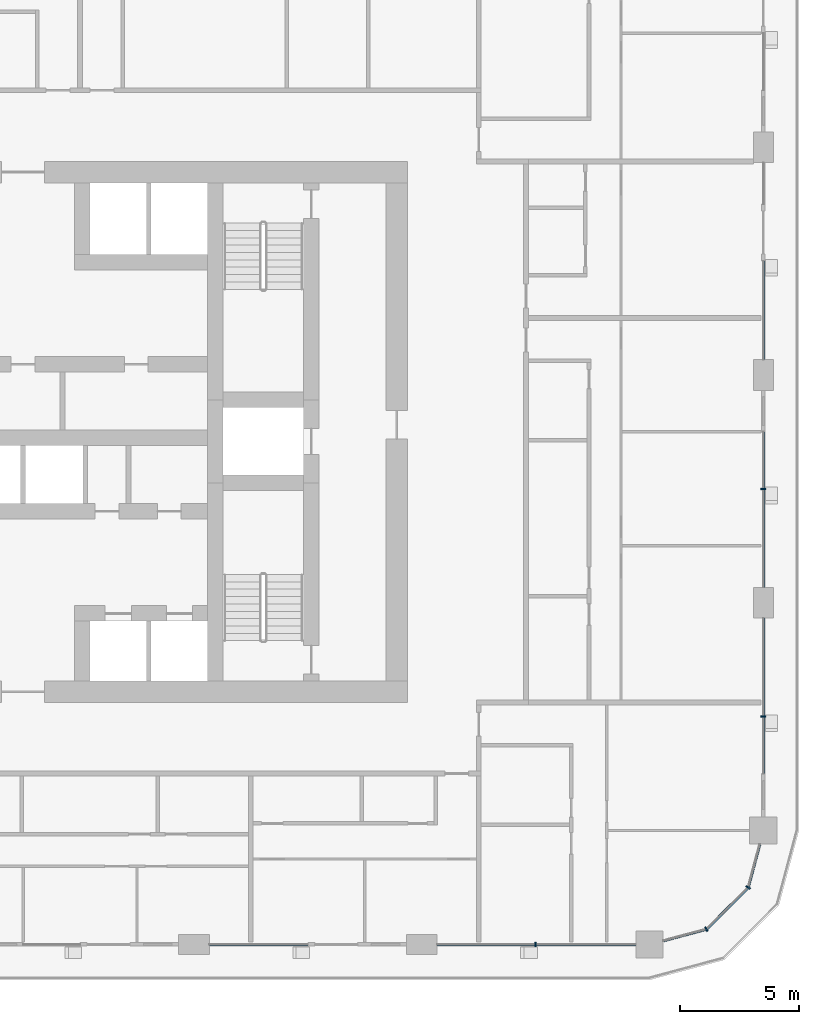
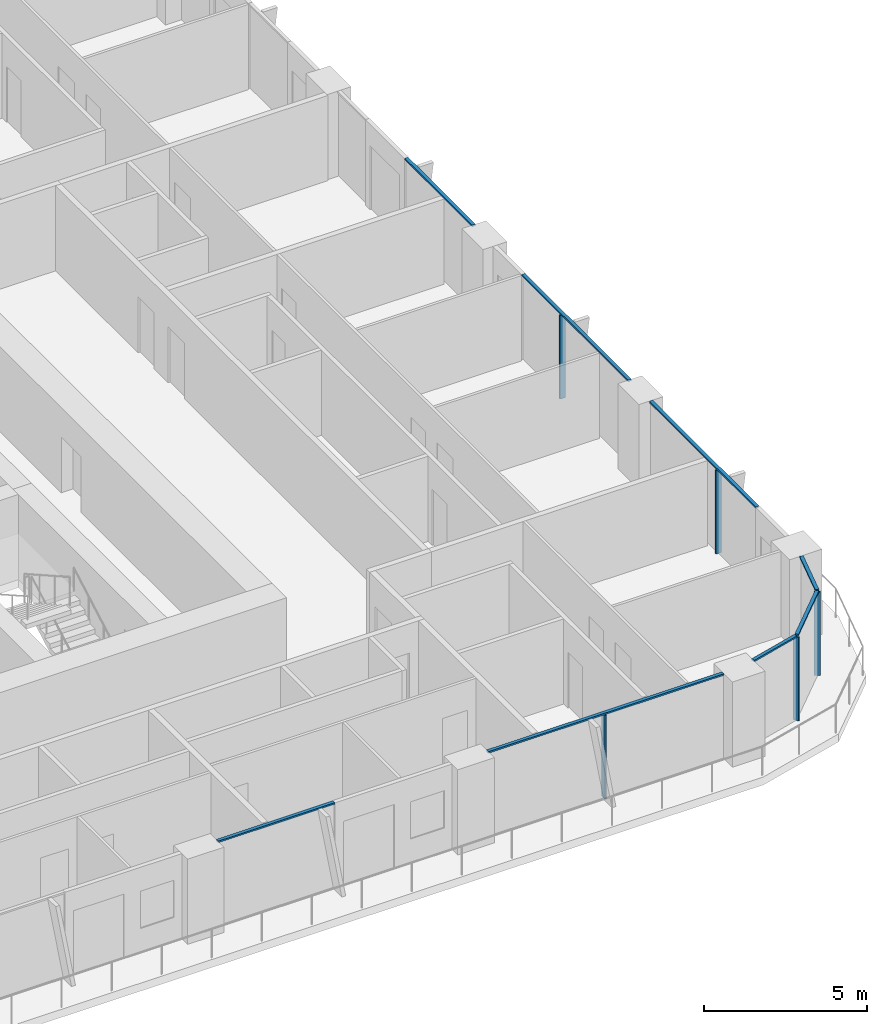
# One storey, part 4 of 22: 13 members, 6 elements without a shape of their own.
"""IFC4 building model written with IfcOpenShell, lengths in metres."""

from ifc_helpers import new_model, si_unit, direction, frame, origin, origin_2d, place, context, subcontext, project, spatial, rectangle, extrude, material, layer, layer_set, material_profile, profile_set, type_object, element, aggregate, save


model = new_model("IFC4")

# Units and contexts
model_context = context("Model", 3, precision=1e-05, world=origin(), true_north=direction((0.0, 1.0)))
body_context = subcontext(model_context, "Body", "Model", "MODEL_VIEW")
ifc_project = project(units=[si_unit("LENGTHUNIT", "METRE"), si_unit("AREAUNIT", "SQUARE_METRE"), si_unit("VOLUMEUNIT", "CUBIC_METRE"), si_unit("PLANEANGLEUNIT", "RADIAN"), si_unit("MASSUNIT", "GRAM", prefix="KILO")], contexts=[model_context])

# Site, building, storey
site_placement = place(None, origin())
site = spatial("IfcSite", under=ifc_project, at=site_placement, CompositionType="ELEMENT")
building_placement = place(site_placement, origin())
building = spatial("IfcBuilding", under=site, at=building_placement, Name="Madar Terraces", CompositionType="ELEMENT")
storey_placement = place(building_placement, frame((0.0, 0.0, 99.699951171875)))
storey = spatial("IfcBuildingStorey", under=building, at=storey_placement, Name="L25", CompositionType="ELEMENT", Elevation=99.699951171875)

# Curtain wall, member
ifc_material_1 = material(Name="Glass, ceramic frit dark grey, with black aluminium frame", Category="aluminium")
ifc_layer = layer(ifc_material_1, 0.199951171875)
ifc_layer_set = layer_set([ifc_layer], Name="Facade curtain wall, fritted glass")
curtain_wall_type = type_object("IfcCurtainWallType", Name="Facade curtain wall, fritted glass", PredefinedType="NOTDEFINED", material=ifc_layer_set)
curtain_wall_1_placement = place(storey_placement, origin())
curtain_wall_1 = element("IfcCurtainWall", 1, at=curtain_wall_1_placement, inside=storey, type_object=curtain_wall_type, Name="Outer skin curtain wall south bay 5", PredefinedType="NOTDEFINED")
ifc_material_2 = material(Name="Aluminium, black anodised", Category="aluminium")
ifc_material_profile_1 = material_profile(ifc_material_2, rectangle(XDim=0.199951171875, YDim=0.06005859375, at=origin_2d()), Name="Facade mullion 60x200")
ifc_profile_set_1 = profile_set([ifc_material_profile_1], Name="Aluminium, black anodised")
member_type_1 = type_object("IfcMemberType", Name="Facade mullion 60x200", PredefinedType="MULLION", material=ifc_profile_set_1)
member_1_placement = place(storey_placement, frame((52.800048828125, 4.800048828125, 0.0), z_axis=(0.0, 0.0, 1.0), x_axis=(0.0, 1.0, 0.0)))
member_1 = element("IfcMember", 2, at=member_1_placement, type_object=member_type_1, Name="Mullion 1", PredefinedType="MULLION", context=body_context, shape_type="SweptSolid", body=[
    extrude(rectangle(XDim=0.199951171875, YDim=0.06005859375, at=origin_2d()), origin(), (0.0, 0.0, 1.0), 3.14013671875),
])

curtain_wall_2_placement = place(storey_placement, origin())
curtain_wall_2 = element("IfcCurtainWall", 3, at=curtain_wall_2_placement, inside=storey, type_object=curtain_wall_type, Name="Outer skin curtain wall east bay 1", PredefinedType="NOTDEFINED")
member_2_placement = place(storey_placement, frame((62.39990234375, 14.39990234375, 0.0), z_axis=(0.0, 0.0, 1.0), x_axis=(-1.0, 0.0, 0.0)))
member_2 = element("IfcMember", 4, at=member_2_placement, type_object=member_type_1, Name="Mullion 1", PredefinedType="MULLION", context=body_context, shape_type="SweptSolid", body=[
    extrude(rectangle(XDim=0.199951171875, YDim=0.06005859375, at=origin_2d()), origin(), (0.0, 0.0, 1.0), 3.14013671875),
])

curtain_wall_3_placement = place(storey_placement, origin())
curtain_wall_3 = element("IfcCurtainWall", 5, at=curtain_wall_3_placement, inside=storey, type_object=curtain_wall_type, Name="Outer skin curtain wall east bay 2", PredefinedType="NOTDEFINED")
member_3_placement = place(storey_placement, frame((62.39990234375, 24.0, 0.0), z_axis=(0.0, 0.0, 1.0), x_axis=(-1.0, 0.0, 0.0)))
member_3 = element("IfcMember", 6, at=member_3_placement, type_object=member_type_1, Name="Mullion 1", PredefinedType="MULLION", context=body_context, shape_type="SweptSolid", body=[
    extrude(rectangle(XDim=0.199951171875, YDim=0.06005859375, at=origin_2d()), origin(), (0.0, 0.0, 1.0), 3.14013671875),
])

# Curtain wall, members
curtain_wall_4_placement = place(storey_placement, origin())
curtain_wall_4 = element("IfcCurtainWall", 7, at=curtain_wall_4_placement, inside=storey, type_object=curtain_wall_type, Name="Outer skin curtain wall south-east corner", PredefinedType="NOTDEFINED")
member_4_placement = place(storey_placement, frame((60.0, 5.443115234375, 0.0), z_axis=(0.0, 0.0, 1.0), x_axis=(-0.499999989586, 0.866025409797, 0.0)))
member_4 = element("IfcMember", 8, at=member_4_placement, type_object=member_type_1, Name="Mullion 1", PredefinedType="MULLION", context=body_context, shape_type="SweptSolid", body=[
    extrude(rectangle(XDim=0.199951171875, YDim=0.06005859375, at=origin_2d()), origin(), (0.0, 0.0, 1.0), 3.14013671875),
])
member_5_placement = place(storey_placement, frame((61.7568359375, 7.199951171875, 0.0), z_axis=(0.0, 0.0, 1.0), x_axis=(-0.866025409797, 0.499999989586, 0.0)))
member_5 = element("IfcMember", 9, at=member_5_placement, type_object=member_type_1, Name="Mullion 2", PredefinedType="MULLION", context=body_context, shape_type="SweptSolid", body=[
    extrude(rectangle(XDim=0.199951171875, YDim=0.06005859375, at=origin_2d()), origin(), (0.0, 0.0, 1.0), 3.14013671875),
])

# Curtain wall, member
curtain_wall_5_placement = place(storey_placement, origin())
curtain_wall_5 = element("IfcCurtainWall", 10, at=curtain_wall_5_placement, inside=storey, type_object=curtain_wall_type, Name="Outer skin curtain wall south bay 4", PredefinedType="NOTDEFINED")
ifc_material_3 = material(Name="Aluminium, black anodised", Category="aluminium")
ifc_material_profile_2 = material_profile(ifc_material_3, rectangle(XDim=0.1201171875, YDim=0.06005859375, at=origin_2d()), Name="Facade transom 60x120")
ifc_profile_set_2 = profile_set([ifc_material_profile_2], Name="Aluminium, black anodised")
member_type_2 = type_object("IfcMemberType", Name="Facade transom 60x120", PredefinedType="USERDEFINED", material=ifc_profile_set_2)
member_6_placement = place(storey_placement, frame((39.050048828125, 4.800048828125, 3.170166015625), z_axis=(1.0, 0.0, 0.0), x_axis=(0.0, 1.0, 0.0)))
member_6 = element("IfcMember", 11, at=member_6_placement, type_object=member_type_2, Name="Transom 1", ObjectType="TRANSOM", PredefinedType="USERDEFINED", context=body_context, shape_type="SweptSolid", body=[
    extrude(rectangle(XDim=0.1201171875, YDim=0.06005859375, at=origin_2d()), origin(), (0.0, 0.0, 1.0), 4.14990234375),
])
aggregate(curtain_wall_5, [member_6])

# Member
member_7_placement = place(storey_placement, frame((48.64990234375, 4.800048828125, 3.170166015625), z_axis=(1.0, 0.0, 0.0), x_axis=(0.0, 1.0, 0.0)))
member_7 = element("IfcMember", 12, at=member_7_placement, type_object=member_type_2, Name="Transom 1", ObjectType="TRANSOM", PredefinedType="USERDEFINED", context=body_context, shape_type="SweptSolid", body=[
    extrude(rectangle(XDim=0.1201171875, YDim=0.06005859375, at=origin_2d()), origin(), (0.0, 0.0, 1.0), 8.375),
])

aggregate(curtain_wall_1, [member_1, member_7])

member_8_placement = place(storey_placement, frame((62.39990234375, 12.0, 3.170166015625), z_axis=(0.0, 1.0, 0.0), x_axis=(-1.0, 0.0, 0.0)))
member_8 = element("IfcMember", 13, at=member_8_placement, type_object=member_type_2, Name="Transom 1", ObjectType="TRANSOM", PredefinedType="USERDEFINED", context=body_context, shape_type="SweptSolid", body=[
    extrude(rectangle(XDim=0.1201171875, YDim=0.06005859375, at=origin_2d()), origin(), (0.0, 0.0, 1.0), 6.550048828125),
])

aggregate(curtain_wall_2, [member_2, member_8])

member_9_placement = place(storey_placement, frame((62.39990234375, 19.85009765625, 3.170166015625), z_axis=(0.0, 1.0, 0.0), x_axis=(-1.0, 0.0, 0.0)))
member_9 = element("IfcMember", 14, at=member_9_placement, type_object=member_type_2, Name="Transom 1", ObjectType="TRANSOM", PredefinedType="USERDEFINED", context=body_context, shape_type="SweptSolid", body=[
    extrude(rectangle(XDim=0.1201171875, YDim=0.06005859375, at=origin_2d()), origin(), (0.0, 0.0, 1.0), 6.5498046875),
])

aggregate(curtain_wall_3, [member_3, member_9])

# Curtain wall, member
curtain_wall_6_placement = place(storey_placement, origin())
curtain_wall_6 = element("IfcCurtainWall", 15, at=curtain_wall_6_placement, inside=storey, type_object=curtain_wall_type, Name="Outer skin curtain wall east bay 3", PredefinedType="NOTDEFINED")
member_10_placement = place(storey_placement, frame((62.39990234375, 29.449951171875, 3.170166015625), z_axis=(0.0, 1.0, 0.0), x_axis=(-1.0, 0.0, 0.0)))
member_10 = element("IfcMember", 16, at=member_10_placement, type_object=member_type_2, Name="Transom 1", ObjectType="TRANSOM", PredefinedType="USERDEFINED", context=body_context, shape_type="SweptSolid", body=[
    extrude(rectangle(XDim=0.1201171875, YDim=0.06005859375, at=origin_2d()), origin(), (0.0, 0.0, 1.0), 4.150146484375),
])
aggregate(curtain_wall_6, [member_10])

# Member
member_11_placement = place(storey_placement, frame((58.175048828125, 4.9541015625, 3.170166015625), z_axis=(0.965926950947, 0.258814847786, 0.0), x_axis=(-0.258814847786, 0.965926950947, 0.0)))
member_11 = element("IfcMember", 17, at=member_11_placement, type_object=member_type_2, Name="Transom 1", ObjectType="TRANSOM", PredefinedType="USERDEFINED", context=body_context, shape_type="SweptSolid", body=[
    extrude(rectangle(XDim=0.1201171875, YDim=0.06005859375, at=origin_2d()), origin(), (0.0, 0.0, 1.0), 1.859130859375),
])

member_12_placement = place(storey_placement, frame((60.021240234375, 5.46435546875, 3.170166015625), z_axis=(0.707106781187, 0.707106781187, 0.0), x_axis=(-0.707106781187, 0.707106781187, 0.0)))
member_12 = element("IfcMember", 18, at=member_12_placement, type_object=member_type_2, Name="Transom 2", ObjectType="TRANSOM", PredefinedType="USERDEFINED", context=body_context, shape_type="SweptSolid", body=[
    extrude(rectangle(XDim=0.1201171875, YDim=0.06005859375, at=origin_2d()), origin(), (0.0, 0.0, 1.0), 2.424560546875),
])

member_13_placement = place(storey_placement, frame((61.7646484375, 7.22900390625, 3.170166015625), z_axis=(0.258814847786, 0.965926950947, 0.0), x_axis=(-0.965926950947, 0.258814847786, 0.0)))
member_13 = element("IfcMember", 19, at=member_13_placement, type_object=member_type_2, Name="Transom 3", ObjectType="TRANSOM", PredefinedType="USERDEFINED", context=body_context, shape_type="SweptSolid", body=[
    extrude(rectangle(XDim=0.1201171875, YDim=0.06005859375, at=origin_2d()), origin(), (0.0, 0.0, 1.0), 1.859130859375),
])

aggregate(curtain_wall_4, [member_4, member_11, member_5, member_12, member_13])

save(model, "model.ifc")
